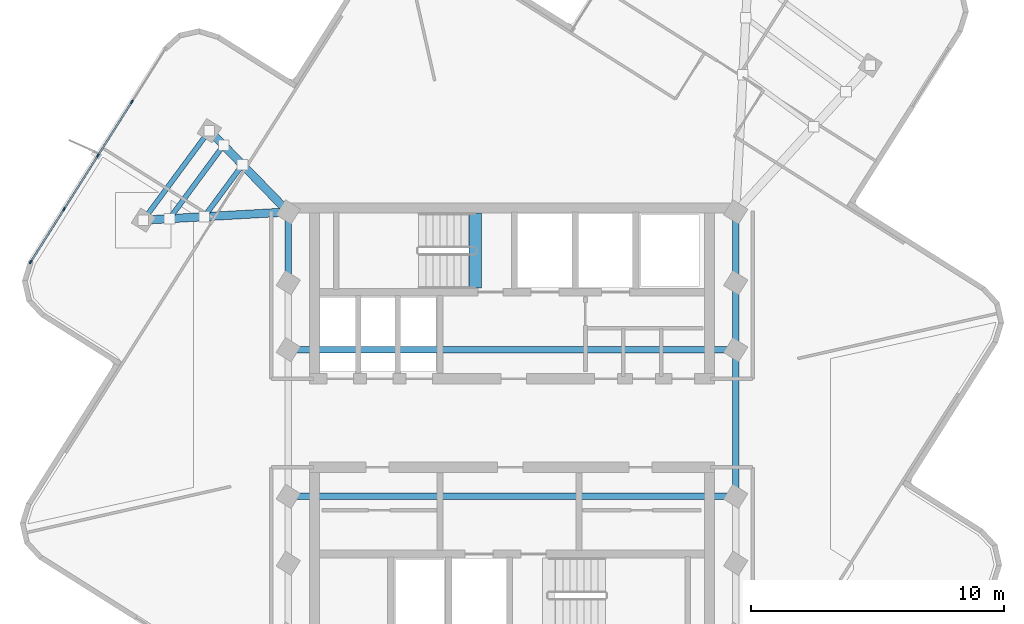
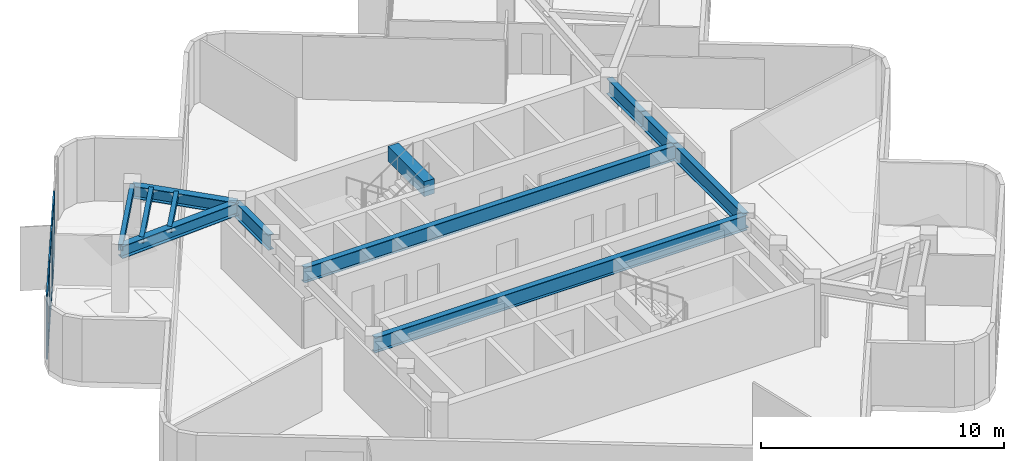
# One storey, part 2 of 10: 12 beams, 10 members, 1 element without a shape of its own.
"""IFC4 building model written with IfcOpenShell, lengths in metres."""

from ifc_helpers import new_model, si_unit, direction, frame, origin, origin_2d, place, context, subcontext, project, spatial, rectangle, hollow_rectangle, i_section, extrude, material, layer, layer_set, material_profile, profile_set, type_object, element, aggregate, save


model = new_model("IFC4")

# Units and contexts
model_context = context("Model", 3, precision=1e-05, world=origin(), true_north=direction((0.0, 1.0)))
body_context = subcontext(model_context, "Body", "Model", "MODEL_VIEW")
ifc_project = project(units=[si_unit("LENGTHUNIT", "METRE"), si_unit("AREAUNIT", "SQUARE_METRE"), si_unit("VOLUMEUNIT", "CUBIC_METRE"), si_unit("PLANEANGLEUNIT", "RADIAN"), si_unit("MASSUNIT", "GRAM", prefix="KILO")], contexts=[model_context])

# Site, building, storey
site_placement = place(None, origin())
site = spatial("IfcSite", under=ifc_project, at=site_placement, CompositionType="ELEMENT")
building_placement = place(site_placement, origin())
building = spatial("IfcBuilding", under=site, at=building_placement, Name="Solmarez Civic Tower", CompositionType="ELEMENT")
storey_placement = place(building_placement, frame((0.0, 0.0, 274.860107421875)))
storey = spatial("IfcBuildingStorey", under=building, at=storey_placement, Name="L74", CompositionType="ELEMENT", Elevation=274.860107421875)

# Beams
ifc_material_1 = material(Name="Steel S355", Category="steel")
ifc_material_profile_1 = material_profile(ifc_material_1, hollow_rectangle(XDim=0.199951171875, YDim=0.300048828125, WallThickness=0.011962890625, at=origin_2d()), Name="HSS300X200X12")
ifc_profile_set_1 = profile_set([ifc_material_profile_1], Name="Steel S355")
beam_type_1 = type_object("IfcBeamType", Name="BM-JS-HSS300X200", PredefinedType="JOIST", material=ifc_profile_set_1)
beam_1_placement = place(storey_placement, frame((-11.970947265625, 11.56591796875, 3.010009765625), z_axis=(-0.593730834471, -0.804663716219, 0.0), x_axis=(0.804663716219, -0.593730834471, 0.0)))
element("IfcBeam", 1, at=beam_1_placement, inside=storey, type_object=beam_type_1, Name="L74 Secondary Floor Joist BM-L74-NA-T1", PredefinedType="JOIST", context=body_context, shape_type="SweptSolid", body=[
    extrude(hollow_rectangle(XDim=0.199951171875, YDim=0.300048828125, WallThickness=0.011962890625, at=origin_2d()), origin(), (0.0, 0.0, 1.0), 4.3994140625),
])
beam_2_placement = place(storey_placement, frame((-10.659912109375, 10.215087890625, 3.010009765625), z_axis=(-0.593812477683, -0.804603468392, 0.0), x_axis=(0.804603468392, -0.593812477683, 0.0)))
element("IfcBeam", 2, at=beam_2_placement, inside=storey, type_object=beam_type_1, Name="L74 Secondary Floor Joist JS-L74-NA-M11", PredefinedType="JOIST", context=body_context, shape_type="SweptSolid", body=[
    extrude(hollow_rectangle(XDim=0.199951171875, YDim=0.300048828125, WallThickness=0.011962890625, at=origin_2d()), origin(), (0.0, 0.0, 1.0), 2.551513671875),
])
beam_3_placement = place(storey_placement, frame((-11.408935546875, 10.987060546875, 3.010009765625), z_axis=(-0.593734433343, -0.804661060735, 0.0), x_axis=(0.804661060735, -0.593734433343, 0.0)))
element("IfcBeam", 3, at=beam_3_placement, inside=storey, type_object=beam_type_1, Name="L74 Secondary Floor Joist JS-L74-NA-M12", PredefinedType="JOIST", context=body_context, shape_type="SweptSolid", body=[
    extrude(hollow_rectangle(XDim=0.199951171875, YDim=0.300048828125, WallThickness=0.011962890625, at=origin_2d()), origin(), (0.0, 0.0, 1.0), 3.60791015625),
])
ifc_material_2 = material(Name="Concrete C50/60", Category="concrete")
ifc_material_profile_2 = material_profile(ifc_material_2, rectangle(XDim=0.5, YDim=0.75, at=origin_2d()), Name="RC500X750")
ifc_profile_set_2 = profile_set([ifc_material_profile_2], Name="Concrete C50/60")
beam_type_2 = type_object("IfcBeamType", Name="BM-PR-RC500X750", PredefinedType="BEAM", material=ifc_profile_set_2)
beam_4_placement = place(storey_placement, frame((-1.449951171875, 5.340087890625, 3.052978515625), z_axis=(0.0, 1.0, 0.0), x_axis=(-1.0, 0.0, 0.0)))
element("IfcBeam", 4, at=beam_4_placement, inside=storey, type_object=beam_type_2, Name="L74 North Stair Threshold Beam", PredefinedType="BEAM", context=body_context, shape_type="SweptSolid", body=[
    extrude(rectangle(XDim=0.5, YDim=0.75, at=origin_2d()), origin(), (0.0, 0.0, 1.0), 2.9599609375),
])
ifc_material_profile_3 = material_profile(ifc_material_1, i_section(OverallWidth=0.327880859375, OverallDepth=0.6220703125, WebThickness=0.015380859375, FlangeThickness=0.0244140625, at=origin_2d()), Name="W24X131")
ifc_profile_set_3 = profile_set([ifc_material_profile_3], Name="Steel S355")
beam_type_3 = type_object("IfcBeamType", Name="BM-PR-W24X131", PredefinedType="BEAM", material=ifc_profile_set_3)
beam_5_placement = place(storey_placement, frame((-8.85009765625, 8.35009765625, 2.848876953125), z_axis=(-0.696430820305, 0.717623935309, 0.0), x_axis=(-0.717623935309, -0.696430820305, 0.0)))
element("IfcBeam", 5, at=beam_5_placement, inside=storey, type_object=beam_type_3, Name="L74 Primary Floor Beam BM-L74-NA-R1A", PredefinedType="BEAM", context=body_context, shape_type="SweptSolid", body=[
    extrude(i_section(OverallWidth=0.327880859375, OverallDepth=0.6220703125, WebThickness=0.015380859375, FlangeThickness=0.0244140625, at=origin_2d()), origin(), (0.0, 0.0, 1.0), 4.481201171875),
])
beam_6_placement = place(storey_placement, frame((-8.85009765625, 8.35009765625, 2.848876953125), z_axis=(-0.998404650863, -0.056463732917, 0.0), x_axis=(0.056463732917, -0.998404650863, 0.0)))
element("IfcBeam", 6, at=beam_6_placement, inside=storey, type_object=beam_type_3, Name="L74 Primary Floor Beam BM-L74-NA-R1B", PredefinedType="BEAM", context=body_context, shape_type="SweptSolid", body=[
    extrude(i_section(OverallWidth=0.327880859375, OverallDepth=0.6220703125, WebThickness=0.015380859375, FlangeThickness=0.0244140625, at=origin_2d()), origin(), (0.0, 0.0, 1.0), 5.7421875),
])
ifc_material_profile_4 = material_profile(ifc_material_1, i_section(OverallWidth=0.26708984375, OverallDepth=0.761962890625, WebThickness=0.014404296875, FlangeThickness=0.021484375, at=origin_2d()), Name="W30X116")
ifc_profile_set_4 = profile_set([ifc_material_profile_4], Name="Steel S355")
beam_type_4 = type_object("IfcBeamType", Name="BM-PR-W30X116", PredefinedType="BEAM", material=ifc_profile_set_4)
beam_7_placement = place(storey_placement, frame((-8.85009765625, 5.550048828125, 2.77880859375), z_axis=(0.0, 1.0, 0.0), x_axis=(-1.0, 0.0, 0.0)))
element("IfcBeam", 7, at=beam_7_placement, inside=storey, type_object=beam_type_4, Name="L74 Primary Floor Beam BM-L74-HC4-HC9", PredefinedType="BEAM", context=body_context, shape_type="SweptSolid", body=[
    extrude(i_section(OverallWidth=0.26708984375, OverallDepth=0.761962890625, WebThickness=0.014404296875, FlangeThickness=0.021484375, at=origin_2d()), origin(), (0.0, 0.0, 1.0), 2.800048828125),
])
beam_8_placement = place(storey_placement, frame((8.85009765625, -2.89990234375, 2.77880859375), z_axis=(0.0, 1.0, 0.0), x_axis=(-1.0, 0.0, 0.0)))
element("IfcBeam", 8, at=beam_8_placement, inside=storey, type_object=beam_type_4, Name="L74 Primary Floor Beam BM-L74-HC6-HC7", PredefinedType="BEAM", context=body_context, shape_type="SweptSolid", body=[
    extrude(i_section(OverallWidth=0.26708984375, OverallDepth=0.761962890625, WebThickness=0.014404296875, FlangeThickness=0.021484375, at=origin_2d()), origin(), (0.0, 0.0, 1.0), 5.7998046875),
])
beam_9_placement = place(storey_placement, frame((8.85009765625, 2.89990234375, 2.77880859375), z_axis=(0.0, 1.0, 0.0), x_axis=(-1.0, 0.0, 0.0)))
element("IfcBeam", 9, at=beam_9_placement, inside=storey, type_object=beam_type_4, Name="L74 Primary Floor Beam BM-L74-HC7-HC8", PredefinedType="BEAM", context=body_context, shape_type="SweptSolid", body=[
    extrude(i_section(OverallWidth=0.26708984375, OverallDepth=0.761962890625, WebThickness=0.014404296875, FlangeThickness=0.021484375, at=origin_2d()), origin(), (0.0, 0.0, 1.0), 2.650146484375),
])
beam_10_placement = place(storey_placement, frame((8.85009765625, 5.550048828125, 2.77880859375), z_axis=(0.0, 1.0, 0.0), x_axis=(-1.0, 0.0, 0.0)))
element("IfcBeam", 10, at=beam_10_placement, inside=storey, type_object=beam_type_4, Name="L74 Primary Floor Beam BM-L74-HC8-HC11", PredefinedType="BEAM", context=body_context, shape_type="SweptSolid", body=[
    extrude(i_section(OverallWidth=0.26708984375, OverallDepth=0.761962890625, WebThickness=0.014404296875, FlangeThickness=0.021484375, at=origin_2d()), origin(), (0.0, 0.0, 1.0), 2.800048828125),
])
for number, where, z_axis, x_axis, name in (
    (11, (-8.85009765625, -2.89990234375, 2.77880859375), (1.0, 0.0, 0.0), (0.0, 1.0, 0.0), "L74 Primary Floor Beam BM-L74-HC2-HC6"),
    (12, (-8.85009765625, 2.89990234375, 2.77880859375), (1.0, 0.0, 0.0), (0.0, 1.0, 0.0), "L74 Primary Floor Beam BM-L74-HC3-HC7"),
):
    element("IfcBeam", number, at=place(storey_placement, frame(where, z_axis=z_axis, x_axis=x_axis)), inside=storey, type_object=beam_type_4, Name=name, PredefinedType="BEAM", context=body_context, shape_type="SweptSolid", body=[
        extrude(i_section(OverallWidth=0.26708984375, OverallDepth=0.761962890625, WebThickness=0.014404296875, FlangeThickness=0.021484375, at=origin_2d()), origin(), (0.0, 0.0, 1.0), 17.7001953125),
    ])

# Curtain wall, members
ifc_material_3 = material(Name="Bronze Anodised Aluminium EN AW-6063 T6", Category="aluminium")
ifc_layer = layer(ifc_material_3, 0.1650390625)
ifc_layer_set = layer_set([ifc_layer], Name="Bronze Anodised Aluminium EN AW-6063 T6")
curtain_wall_type = type_object("IfcCurtainWallType", Name="CW-SYS-4", PredefinedType="NOTDEFINED", material=ifc_layer_set)
curtain_wall_placement = place(storey_placement, origin())
curtain_wall = element("IfcCurtainWall", 13, at=curtain_wall_placement, inside=storey, type_object=curtain_wall_type, Name="L74 Stick-Built Curtain Wall 1", PredefinedType="NOTDEFINED")
ifc_material_profile_5 = material_profile(ifc_material_3, rectangle(XDim=0.06005859375, YDim=0.14990234375, at=origin_2d()), Name="CWM-60X150")
ifc_profile_set_5 = profile_set([ifc_material_profile_5], Name="Bronze Anodised Aluminium EN AW-6063 T6")
member_type_1 = type_object("IfcMemberType", Name="CWM-TYPE-4", PredefinedType="MULLION", material=ifc_profile_set_5)
member_1_placement = place(storey_placement, frame((-19.0400390625, 6.371337890625, 0.0), z_axis=(0.0, 0.0, 1.0), x_axis=(-0.845443855725, 0.534064309626, 0.0)))
member_1 = element("IfcMember", 14, at=member_1_placement, type_object=member_type_1, Name="CWS4 mullion 1", PredefinedType="MULLION", context=body_context, shape_type="SweptSolid", body=[
    extrude(rectangle(XDim=0.06005859375, YDim=0.14990234375, at=origin_2d()), origin(), (0.0, 0.0, 1.0), 3.159912109375),
])
member_2_placement = place(storey_placement, frame((-17.7177734375, 8.464599609375, 0.0), z_axis=(0.0, 0.0, 1.0), x_axis=(-0.845443855725, 0.534064309626, 0.0)))
member_2 = element("IfcMember", 15, at=member_2_placement, type_object=member_type_1, Name="CWS4 mullion 2", PredefinedType="MULLION", context=body_context, shape_type="SweptSolid", body=[
    extrude(rectangle(XDim=0.06005859375, YDim=0.14990234375, at=origin_2d()), origin(), (0.0, 0.0, 1.0), 3.159912109375),
])
member_3_placement = place(storey_placement, frame((-16.37939453125, 10.5830078125, 0.0), z_axis=(0.0, 0.0, 1.0), x_axis=(-0.845443855725, 0.534064309626, 0.0)))
member_3 = element("IfcMember", 16, at=member_3_placement, type_object=member_type_1, Name="CWS4 mullion 3", PredefinedType="MULLION", context=body_context, shape_type="SweptSolid", body=[
    extrude(rectangle(XDim=0.06005859375, YDim=0.14990234375, at=origin_2d()), origin(), (0.0, 0.0, 1.0), 3.159912109375),
])
member_4_placement = place(storey_placement, frame((-15.041259765625, 12.701416015625, 0.0), z_axis=(0.0, 0.0, 1.0), x_axis=(-0.845443855725, 0.534064309626, 0.0)))
member_4 = element("IfcMember", 17, at=member_4_placement, type_object=member_type_1, Name="CWS4 mullion 4", PredefinedType="MULLION", context=body_context, shape_type="SweptSolid", body=[
    extrude(rectangle(XDim=0.06005859375, YDim=0.14990234375, at=origin_2d()), origin(), (0.0, 0.0, 1.0), 3.159912109375),
])
ifc_material_profile_6 = material_profile(ifc_material_3, rectangle(XDim=0.070068359375, YDim=0.139892578125, at=origin_2d()), Name="CWT-70X140")
ifc_profile_set_6 = profile_set([ifc_material_profile_6], Name="Bronze Anodised Aluminium EN AW-6063 T6")
member_type_2 = type_object("IfcMemberType", Name="CWT-TYPE-1", PredefinedType="USERDEFINED", material=ifc_profile_set_6)
member_5_placement = place(storey_placement, frame((-19.02392578125, 6.396728515625, 0.034912109375), z_axis=(0.534008200535, 0.845479297062, 0.0), x_axis=(-0.845479297062, 0.534008200535, 0.0)))
member_5 = element("IfcMember", 18, at=member_5_placement, type_object=member_type_2, Name="CWS4 transom 1.1", ObjectType="TRANSOM", PredefinedType="USERDEFINED", context=body_context, shape_type="SweptSolid", body=[
    extrude(rectangle(XDim=0.070068359375, YDim=0.139892578125, at=origin_2d()), origin(), (0.0, 0.0, 1.0), 2.415771484375),
])
member_6_placement = place(storey_placement, frame((-19.02392578125, 6.396728515625, 3.125), z_axis=(0.534008200535, 0.845479297062, 0.0), x_axis=(-0.845479297062, 0.534008200535, 0.0)))
member_6 = element("IfcMember", 19, at=member_6_placement, type_object=member_type_2, Name="CWS4 transom 1.2", ObjectType="TRANSOM", PredefinedType="USERDEFINED", context=body_context, shape_type="SweptSolid", body=[
    extrude(rectangle(XDim=0.070068359375, YDim=0.139892578125, at=origin_2d()), origin(), (0.0, 0.0, 1.0), 2.415771484375),
])
member_7_placement = place(storey_placement, frame((-17.70166015625, 8.48974609375, 0.034912109375), z_axis=(0.534030546447, 0.84546518288, 0.0), x_axis=(-0.84546518288, 0.534030546447, 0.0)))
member_7 = element("IfcMember", 20, at=member_7_placement, type_object=member_type_2, Name="CWS4 transom 2.1", ObjectType="TRANSOM", PredefinedType="USERDEFINED", context=body_context, shape_type="SweptSolid", body=[
    extrude(rectangle(XDim=0.070068359375, YDim=0.139892578125, at=origin_2d()), origin(), (0.0, 0.0, 1.0), 2.44580078125),
])
member_8_placement = place(storey_placement, frame((-17.70166015625, 8.48974609375, 3.125), z_axis=(0.534030546447, 0.84546518288, 0.0), x_axis=(-0.84546518288, 0.534030546447, 0.0)))
member_8 = element("IfcMember", 21, at=member_8_placement, type_object=member_type_2, Name="CWS4 transom 2.2", ObjectType="TRANSOM", PredefinedType="USERDEFINED", context=body_context, shape_type="SweptSolid", body=[
    extrude(rectangle(XDim=0.070068359375, YDim=0.139892578125, at=origin_2d()), origin(), (0.0, 0.0, 1.0), 2.44580078125),
])
member_9_placement = place(storey_placement, frame((-16.363525390625, 10.6083984375, 0.034912109375), z_axis=(0.5340756181, 0.845436712091, 0.0), x_axis=(-0.845436712091, 0.5340756181, 0.0)))
member_9 = element("IfcMember", 22, at=member_9_placement, type_object=member_type_2, Name="CWS4 transom 3.1", ObjectType="TRANSOM", PredefinedType="USERDEFINED", context=body_context, shape_type="SweptSolid", body=[
    extrude(rectangle(XDim=0.070068359375, YDim=0.139892578125, at=origin_2d()), origin(), (0.0, 0.0, 1.0), 2.445556640625),
])
member_10_placement = place(storey_placement, frame((-16.363525390625, 10.6083984375, 3.125), z_axis=(0.5340756181, 0.845436712091, 0.0), x_axis=(-0.845436712091, 0.5340756181, 0.0)))
member_10 = element("IfcMember", 23, at=member_10_placement, type_object=member_type_2, Name="CWS4 transom 3.2", ObjectType="TRANSOM", PredefinedType="USERDEFINED", context=body_context, shape_type="SweptSolid", body=[
    extrude(rectangle(XDim=0.070068359375, YDim=0.139892578125, at=origin_2d()), origin(), (0.0, 0.0, 1.0), 2.445556640625),
])
aggregate(curtain_wall, [member_1, member_2, member_3, member_4, member_5, member_6, member_7, member_8, member_9, member_10])

save(model, "model.ifc")
